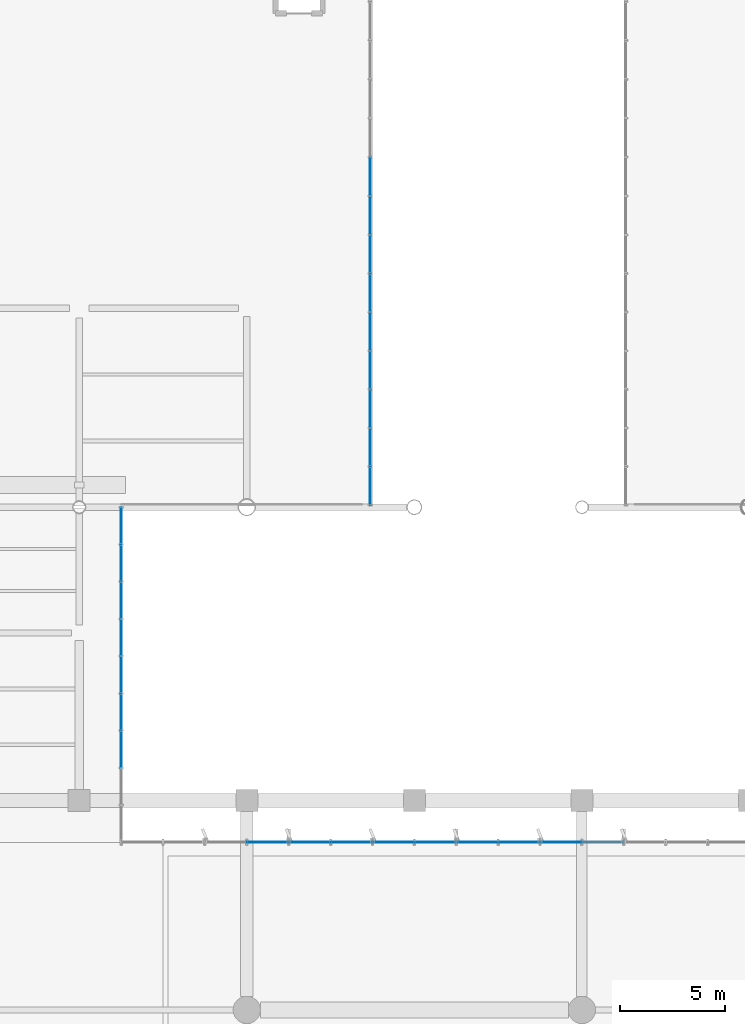
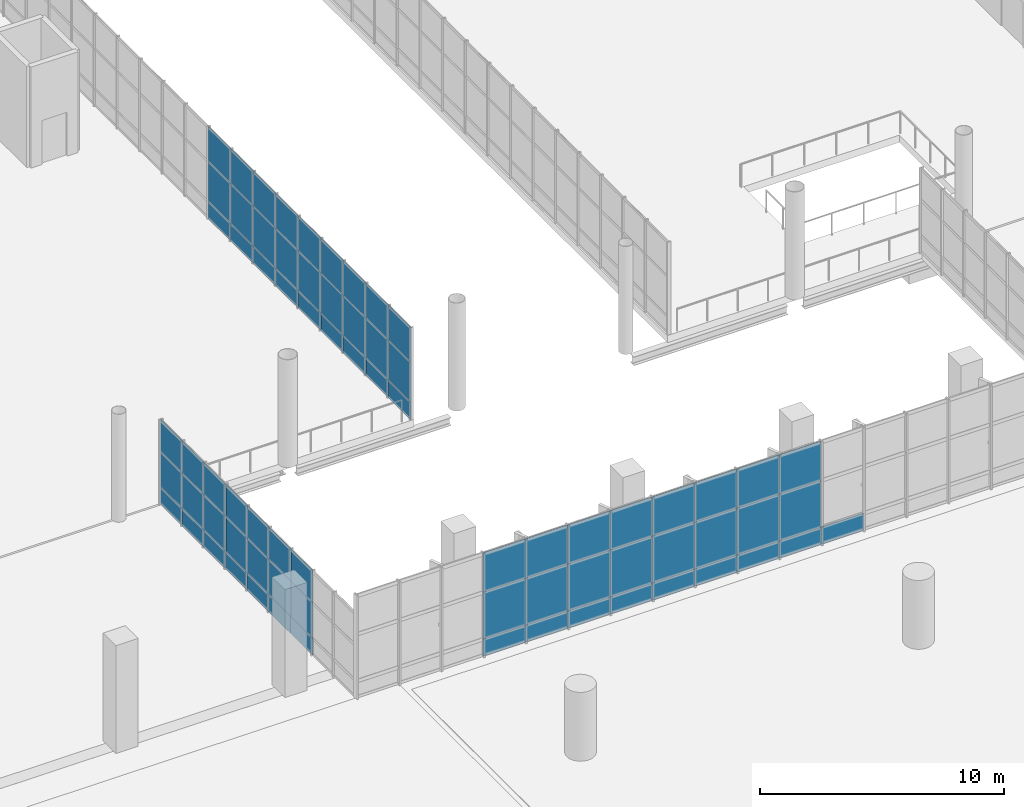
# One storey, part 125 of 176: 73 plates, 6 elements without a shape of their own.
"""IFC4 building model written with IfcOpenShell, lengths in metres."""

from ifc_helpers import new_model, si_unit, direction, frame, origin, origin_2d, place, context, subcontext, project, spatial, rectangle, extrude, material, layer, layer_set, type_object, element, aggregate, save


model = new_model("IFC4")

# Units and contexts
model_context = context("Model", 3, precision=1e-05, world=origin(), true_north=direction((0.0, 1.0)))
body_context = subcontext(model_context, "Body", "Model", "MODEL_VIEW")
ifc_project = project(units=[si_unit("LENGTHUNIT", "METRE"), si_unit("AREAUNIT", "SQUARE_METRE"), si_unit("VOLUMEUNIT", "CUBIC_METRE"), si_unit("PLANEANGLEUNIT", "RADIAN"), si_unit("MASSUNIT", "GRAM", prefix="KILO")], contexts=[model_context])

# Site, building, storey
site_placement = place(None, origin())
site = spatial("IfcSite", under=ifc_project, at=site_placement, CompositionType="ELEMENT")
building_placement = place(site_placement, origin())
building = spatial("IfcBuilding", under=site, at=building_placement, Name="Khorjan Park Terminus", CompositionType="ELEMENT")
storey_placement = place(building_placement, frame((0.0, 0.0, 6.0)))
storey = spatial("IfcBuildingStorey", under=building, at=storey_placement, Name="L01", CompositionType="ELEMENT", Elevation=6.0)

# Curtain wall, plates
ifc_material_1 = material(Name="Anodized Bronze Aluminium", Category="aluminium")
ifc_layer_1 = layer(ifc_material_1, 0.22)
ifc_layer_set_1 = layer_set([ifc_layer_1], Name="Anodized Bronze Aluminium")
curtain_wall_type_1 = type_object("IfcCurtainWallType", Name="CW-BRG-D", PredefinedType="NOTDEFINED", material=ifc_layer_set_1)
curtain_wall_1_placement = place(storey_placement, origin())
curtain_wall_1 = element("IfcCurtainWall", 1, at=curtain_wall_1_placement, inside=storey, type_object=curtain_wall_type_1, Name="Unitized curtain wall CW-D (CW-NKW-E-L01)", PredefinedType="NOTDEFINED")
ifc_material_2 = material(Name="Low-E Solar Control Double Glazing", Category="glass")
ifc_layer_2 = layer(ifc_material_2, 0.032)
ifc_layer_set_2 = layer_set([ifc_layer_2], Name="Low-E Solar Control Double Glazing")
plate_type_1 = type_object("IfcPlateType", Name="GL-VIS-32", PredefinedType="CURTAIN_PANEL", material=ifc_layer_set_2)
plate_1_placement = place(storey_placement, frame((74.0, 90.4444, 0.85), z_axis=(0.0, 0.0, 1.0), x_axis=(0.0, 1.0, 0.0)))
plate_1 = element("IfcPlate", 2, at=plate_1_placement, type_object=plate_type_1, Name="Curtain-wall panel VP-32 (CW-NKW-E-L01-2-2)", PredefinedType="CURTAIN_PANEL", context=body_context, shape_type="SweptSolid", body=[
    extrude(rectangle(XDim=1.7778, YDim=0.032, at=origin_2d()), origin(), (0.0, 0.0, 1.0), 1.7695),
])
plate_2_placement = place(storey_placement, frame((74.0, 90.4444, 2.6196), z_axis=(0.0, 0.0, 1.0), x_axis=(0.0, 1.0, 0.0)))
plate_2 = element("IfcPlate", 3, at=plate_2_placement, type_object=plate_type_1, Name="Curtain-wall panel VP-32 (CW-NKW-E-L01-2-3)", PredefinedType="CURTAIN_PANEL", context=body_context, shape_type="SweptSolid", body=[
    extrude(rectangle(XDim=1.7778, YDim=0.032, at=origin_2d()), origin(), (0.0, 0.0, 1.0), 1.6155),
])
plate_3_placement = place(storey_placement, frame((74.0, 92.2222, 0.85), z_axis=(0.0, 0.0, 1.0), x_axis=(0.0, 1.0, 0.0)))
plate_3 = element("IfcPlate", 4, at=plate_3_placement, type_object=plate_type_1, Name="Curtain-wall panel VP-32 (CW-NKW-E-L01-3-2)", PredefinedType="CURTAIN_PANEL", context=body_context, shape_type="SweptSolid", body=[
    extrude(rectangle(XDim=1.7778, YDim=0.032, at=origin_2d()), origin(), (0.0, 0.0, 1.0), 1.7695),
])
plate_4_placement = place(storey_placement, frame((74.0, 92.2222, 2.6196), z_axis=(0.0, 0.0, 1.0), x_axis=(0.0, 1.0, 0.0)))
plate_4 = element("IfcPlate", 5, at=plate_4_placement, type_object=plate_type_1, Name="Curtain-wall panel VP-32 (CW-NKW-E-L01-3-3)", PredefinedType="CURTAIN_PANEL", context=body_context, shape_type="SweptSolid", body=[
    extrude(rectangle(XDim=1.7778, YDim=0.032, at=origin_2d()), origin(), (0.0, 0.0, 1.0), 1.6155),
])
plate_5_placement = place(storey_placement, frame((74.0, 94.0, 0.85), z_axis=(0.0, 0.0, 1.0), x_axis=(0.0, 1.0, 0.0)))
plate_5 = element("IfcPlate", 6, at=plate_5_placement, type_object=plate_type_1, Name="Curtain-wall panel VP-32 (CW-NKW-E-L01-4-2)", PredefinedType="CURTAIN_PANEL", context=body_context, shape_type="SweptSolid", body=[
    extrude(rectangle(XDim=1.7778, YDim=0.032, at=origin_2d()), origin(), (0.0, 0.0, 1.0), 1.7695),
])
plate_6_placement = place(storey_placement, frame((74.0, 94.0, 2.6196), z_axis=(0.0, 0.0, 1.0), x_axis=(0.0, 1.0, 0.0)))
plate_6 = element("IfcPlate", 7, at=plate_6_placement, type_object=plate_type_1, Name="Curtain-wall panel VP-32 (CW-NKW-E-L01-4-3)", PredefinedType="CURTAIN_PANEL", context=body_context, shape_type="SweptSolid", body=[
    extrude(rectangle(XDim=1.7778, YDim=0.032, at=origin_2d()), origin(), (0.0, 0.0, 1.0), 1.6155),
])
plate_7_placement = place(storey_placement, frame((74.0, 95.7778, 0.85), z_axis=(0.0, 0.0, 1.0), x_axis=(0.0, 1.0, 0.0)))
plate_7 = element("IfcPlate", 8, at=plate_7_placement, type_object=plate_type_1, Name="Curtain-wall panel VP-32 (CW-NKW-E-L01-5-2)", PredefinedType="CURTAIN_PANEL", context=body_context, shape_type="SweptSolid", body=[
    extrude(rectangle(XDim=1.7778, YDim=0.032, at=origin_2d()), origin(), (0.0, 0.0, 1.0), 1.7695),
])
plate_8_placement = place(storey_placement, frame((74.0, 95.7778, 2.6196), z_axis=(0.0, 0.0, 1.0), x_axis=(0.0, 1.0, 0.0)))
plate_8 = element("IfcPlate", 9, at=plate_8_placement, type_object=plate_type_1, Name="Curtain-wall panel VP-32 (CW-NKW-E-L01-5-3)", PredefinedType="CURTAIN_PANEL", context=body_context, shape_type="SweptSolid", body=[
    extrude(rectangle(XDim=1.7778, YDim=0.032, at=origin_2d()), origin(), (0.0, 0.0, 1.0), 1.6155),
])
plate_9_placement = place(storey_placement, frame((74.0, 97.5556, 0.85), z_axis=(0.0, 0.0, 1.0), x_axis=(0.0, 1.0, 0.0)))
plate_9 = element("IfcPlate", 10, at=plate_9_placement, type_object=plate_type_1, Name="Curtain-wall panel VP-32 (CW-NKW-E-L01-6-2)", PredefinedType="CURTAIN_PANEL", context=body_context, shape_type="SweptSolid", body=[
    extrude(rectangle(XDim=1.7778, YDim=0.032, at=origin_2d()), origin(), (0.0, 0.0, 1.0), 1.7695),
])
plate_10_placement = place(storey_placement, frame((74.0, 97.5556, 2.6196), z_axis=(0.0, 0.0, 1.0), x_axis=(0.0, 1.0, 0.0)))
plate_10 = element("IfcPlate", 11, at=plate_10_placement, type_object=plate_type_1, Name="Curtain-wall panel VP-32 (CW-NKW-E-L01-6-3)", PredefinedType="CURTAIN_PANEL", context=body_context, shape_type="SweptSolid", body=[
    extrude(rectangle(XDim=1.7778, YDim=0.032, at=origin_2d()), origin(), (0.0, 0.0, 1.0), 1.6155),
])
plate_11_placement = place(storey_placement, frame((74.0, 99.3333, 0.85), z_axis=(0.0, 0.0, 1.0), x_axis=(0.0, 1.0, 0.0)))
plate_11 = element("IfcPlate", 12, at=plate_11_placement, type_object=plate_type_1, Name="Curtain-wall panel VP-32 (CW-NKW-E-L01-7-2)", PredefinedType="CURTAIN_PANEL", context=body_context, shape_type="SweptSolid", body=[
    extrude(rectangle(XDim=1.7778, YDim=0.032, at=origin_2d()), origin(), (0.0, 0.0, 1.0), 1.7695),
])
plate_12_placement = place(storey_placement, frame((74.0, 99.3333, 2.6196), z_axis=(0.0, 0.0, 1.0), x_axis=(0.0, 1.0, 0.0)))
plate_12 = element("IfcPlate", 13, at=plate_12_placement, type_object=plate_type_1, Name="Curtain-wall panel VP-32 (CW-NKW-E-L01-7-3)", PredefinedType="CURTAIN_PANEL", context=body_context, shape_type="SweptSolid", body=[
    extrude(rectangle(XDim=1.7778, YDim=0.032, at=origin_2d()), origin(), (0.0, 0.0, 1.0), 1.6155),
])
plate_13_placement = place(storey_placement, frame((74.0, 101.1111, 0.85), z_axis=(0.0, 0.0, 1.0), x_axis=(0.0, 1.0, 0.0)))
plate_13 = element("IfcPlate", 14, at=plate_13_placement, type_object=plate_type_1, Name="Curtain-wall panel VP-32 (CW-NKW-E-L01-8-2)", PredefinedType="CURTAIN_PANEL", context=body_context, shape_type="SweptSolid", body=[
    extrude(rectangle(XDim=1.7778, YDim=0.032, at=origin_2d()), origin(), (0.0, 0.0, 1.0), 1.7695),
])
plate_14_placement = place(storey_placement, frame((74.0, 101.1111, 2.6196), z_axis=(0.0, 0.0, 1.0), x_axis=(0.0, 1.0, 0.0)))
plate_14 = element("IfcPlate", 15, at=plate_14_placement, type_object=plate_type_1, Name="Curtain-wall panel VP-32 (CW-NKW-E-L01-8-3)", PredefinedType="CURTAIN_PANEL", context=body_context, shape_type="SweptSolid", body=[
    extrude(rectangle(XDim=1.7778, YDim=0.032, at=origin_2d()), origin(), (0.0, 0.0, 1.0), 1.6155),
])

curtain_wall_2_placement = place(storey_placement, origin())
curtain_wall_2 = element("IfcCurtainWall", 16, at=curtain_wall_2_placement, inside=storey, type_object=curtain_wall_type_1, Name="Unitized curtain wall CW-D (CW-BRW-E-1)", PredefinedType="NOTDEFINED")
plate_15_placement = place(storey_placement, frame((85.9, 103.0214, 0.85), z_axis=(0.0, 0.0, 1.0), x_axis=(0.0, 1.0, 0.0)))
plate_15 = element("IfcPlate", 17, at=plate_15_placement, type_object=plate_type_1, Name="Curtain-wall panel VP-32 (CW-BRW-E-1-0-2)", PredefinedType="CURTAIN_PANEL", context=body_context, shape_type="SweptSolid", body=[
    extrude(rectangle(XDim=1.8429, YDim=0.032, at=origin_2d()), origin(), (0.0, 0.0, 1.0), 2.002),
])
plate_16_placement = place(storey_placement, frame((85.9, 103.0214, 2.852), z_axis=(0.0, 0.0, 1.0), x_axis=(0.0, 1.0, 0.0)))
plate_16 = element("IfcPlate", 18, at=plate_16_placement, type_object=plate_type_1, Name="Curtain-wall panel VP-32 (CW-BRW-E-1-0-3)", PredefinedType="CURTAIN_PANEL", context=body_context, shape_type="SweptSolid", body=[
    extrude(rectangle(XDim=1.8429, YDim=0.032, at=origin_2d()), origin(), (0.0, 0.0, 1.0), 1.758),
])
plate_17_placement = place(storey_placement, frame((85.9, 104.8643, 0.85), z_axis=(0.0, 0.0, 1.0), x_axis=(0.0, 1.0, 0.0)))
plate_17 = element("IfcPlate", 19, at=plate_17_placement, type_object=plate_type_1, Name="Curtain-wall panel VP-32 (CW-BRW-E-1-1-2)", PredefinedType="CURTAIN_PANEL", context=body_context, shape_type="SweptSolid", body=[
    extrude(rectangle(XDim=1.8429, YDim=0.032, at=origin_2d()), origin(), (0.0, 0.0, 1.0), 2.002),
])
plate_18_placement = place(storey_placement, frame((85.9, 104.8643, 2.852), z_axis=(0.0, 0.0, 1.0), x_axis=(0.0, 1.0, 0.0)))
plate_18 = element("IfcPlate", 20, at=plate_18_placement, type_object=plate_type_1, Name="Curtain-wall panel VP-32 (CW-BRW-E-1-1-3)", PredefinedType="CURTAIN_PANEL", context=body_context, shape_type="SweptSolid", body=[
    extrude(rectangle(XDim=1.8429, YDim=0.032, at=origin_2d()), origin(), (0.0, 0.0, 1.0), 1.758),
])
plate_19_placement = place(storey_placement, frame((85.9, 106.7072, 0.85), z_axis=(0.0, 0.0, 1.0), x_axis=(0.0, 1.0, 0.0)))
plate_19 = element("IfcPlate", 21, at=plate_19_placement, type_object=plate_type_1, Name="Curtain-wall panel VP-32 (CW-BRW-E-1-2-2)", PredefinedType="CURTAIN_PANEL", context=body_context, shape_type="SweptSolid", body=[
    extrude(rectangle(XDim=1.8429, YDim=0.032, at=origin_2d()), origin(), (0.0, 0.0, 1.0), 2.002),
])
plate_20_placement = place(storey_placement, frame((85.9, 106.7072, 2.852), z_axis=(0.0, 0.0, 1.0), x_axis=(0.0, 1.0, 0.0)))
plate_20 = element("IfcPlate", 22, at=plate_20_placement, type_object=plate_type_1, Name="Curtain-wall panel VP-32 (CW-BRW-E-1-2-3)", PredefinedType="CURTAIN_PANEL", context=body_context, shape_type="SweptSolid", body=[
    extrude(rectangle(XDim=1.8429, YDim=0.032, at=origin_2d()), origin(), (0.0, 0.0, 1.0), 1.758),
])
plate_21_placement = place(storey_placement, frame((85.9, 108.55, 0.85), z_axis=(0.0, 0.0, 1.0), x_axis=(0.0, 1.0, 0.0)))
plate_21 = element("IfcPlate", 23, at=plate_21_placement, type_object=plate_type_1, Name="Curtain-wall panel VP-32 (CW-BRW-E-1-3-2)", PredefinedType="CURTAIN_PANEL", context=body_context, shape_type="SweptSolid", body=[
    extrude(rectangle(XDim=1.8429, YDim=0.032, at=origin_2d()), origin(), (0.0, 0.0, 1.0), 2.002),
])
plate_22_placement = place(storey_placement, frame((85.9, 108.55, 2.852), z_axis=(0.0, 0.0, 1.0), x_axis=(0.0, 1.0, 0.0)))
plate_22 = element("IfcPlate", 24, at=plate_22_placement, type_object=plate_type_1, Name="Curtain-wall panel VP-32 (CW-BRW-E-1-3-3)", PredefinedType="CURTAIN_PANEL", context=body_context, shape_type="SweptSolid", body=[
    extrude(rectangle(XDim=1.8429, YDim=0.032, at=origin_2d()), origin(), (0.0, 0.0, 1.0), 1.758),
])
plate_23_placement = place(storey_placement, frame((85.9, 110.3929, 0.85), z_axis=(0.0, 0.0, 1.0), x_axis=(0.0, 1.0, 0.0)))
plate_23 = element("IfcPlate", 25, at=plate_23_placement, type_object=plate_type_1, Name="Curtain-wall panel VP-32 (CW-BRW-E-1-4-2)", PredefinedType="CURTAIN_PANEL", context=body_context, shape_type="SweptSolid", body=[
    extrude(rectangle(XDim=1.8429, YDim=0.032, at=origin_2d()), origin(), (0.0, 0.0, 1.0), 2.002),
])
plate_24_placement = place(storey_placement, frame((85.9, 110.3929, 2.852), z_axis=(0.0, 0.0, 1.0), x_axis=(0.0, 1.0, 0.0)))
plate_24 = element("IfcPlate", 26, at=plate_24_placement, type_object=plate_type_1, Name="Curtain-wall panel VP-32 (CW-BRW-E-1-4-3)", PredefinedType="CURTAIN_PANEL", context=body_context, shape_type="SweptSolid", body=[
    extrude(rectangle(XDim=1.8429, YDim=0.032, at=origin_2d()), origin(), (0.0, 0.0, 1.0), 1.758),
])
plate_25_placement = place(storey_placement, frame((85.9, 112.2357, 0.85), z_axis=(0.0, 0.0, 1.0), x_axis=(0.0, 1.0, 0.0)))
plate_25 = element("IfcPlate", 27, at=plate_25_placement, type_object=plate_type_1, Name="Curtain-wall panel VP-32 (CW-BRW-E-1-5-2)", PredefinedType="CURTAIN_PANEL", context=body_context, shape_type="SweptSolid", body=[
    extrude(rectangle(XDim=1.8429, YDim=0.032, at=origin_2d()), origin(), (0.0, 0.0, 1.0), 2.002),
])
plate_26_placement = place(storey_placement, frame((85.9, 112.2357, 2.852), z_axis=(0.0, 0.0, 1.0), x_axis=(0.0, 1.0, 0.0)))
plate_26 = element("IfcPlate", 28, at=plate_26_placement, type_object=plate_type_1, Name="Curtain-wall panel VP-32 (CW-BRW-E-1-5-3)", PredefinedType="CURTAIN_PANEL", context=body_context, shape_type="SweptSolid", body=[
    extrude(rectangle(XDim=1.8429, YDim=0.032, at=origin_2d()), origin(), (0.0, 0.0, 1.0), 1.758),
])
plate_27_placement = place(storey_placement, frame((85.9, 114.0786, 0.85), z_axis=(0.0, 0.0, 1.0), x_axis=(0.0, 1.0, 0.0)))
plate_27 = element("IfcPlate", 29, at=plate_27_placement, type_object=plate_type_1, Name="Curtain-wall panel VP-32 (CW-BRW-E-1-6-2)", PredefinedType="CURTAIN_PANEL", context=body_context, shape_type="SweptSolid", body=[
    extrude(rectangle(XDim=1.8429, YDim=0.032, at=origin_2d()), origin(), (0.0, 0.0, 1.0), 2.002),
])
plate_28_placement = place(storey_placement, frame((85.9, 114.0786, 2.852), z_axis=(0.0, 0.0, 1.0), x_axis=(0.0, 1.0, 0.0)))
plate_28 = element("IfcPlate", 30, at=plate_28_placement, type_object=plate_type_1, Name="Curtain-wall panel VP-32 (CW-BRW-E-1-6-3)", PredefinedType="CURTAIN_PANEL", context=body_context, shape_type="SweptSolid", body=[
    extrude(rectangle(XDim=1.8429, YDim=0.032, at=origin_2d()), origin(), (0.0, 0.0, 1.0), 1.758),
])

curtain_wall_3_placement = place(storey_placement, origin())
curtain_wall_3 = element("IfcCurtainWall", 31, at=curtain_wall_3_placement, inside=storey, type_object=curtain_wall_type_1, Name="Unitized curtain wall CW-D (CW-BRW-E-2)", PredefinedType="NOTDEFINED")
plate_29_placement = place(storey_placement, frame((85.9, 115.9286, 0.85), z_axis=(0.0, 0.0, 1.0), x_axis=(0.0, 1.0, 0.0)))
plate_29 = element("IfcPlate", 32, at=plate_29_placement, type_object=plate_type_1, Name="Curtain-wall panel VP-32 (CW-BRW-E-2-0-2)", PredefinedType="CURTAIN_PANEL", context=body_context, shape_type="SweptSolid", body=[
    extrude(rectangle(XDim=1.8571, YDim=0.032, at=origin_2d()), origin(), (0.0, 0.0, 1.0), 2.002),
])
plate_30_placement = place(storey_placement, frame((85.9, 115.9286, 2.852), z_axis=(0.0, 0.0, 1.0), x_axis=(0.0, 1.0, 0.0)))
plate_30 = element("IfcPlate", 33, at=plate_30_placement, type_object=plate_type_1, Name="Curtain-wall panel VP-32 (CW-BRW-E-2-0-3)", PredefinedType="CURTAIN_PANEL", context=body_context, shape_type="SweptSolid", body=[
    extrude(rectangle(XDim=1.8571, YDim=0.032, at=origin_2d()), origin(), (0.0, 0.0, 1.0), 1.758),
])
plate_31_placement = place(storey_placement, frame((85.9, 117.7857, 0.85), z_axis=(0.0, 0.0, 1.0), x_axis=(0.0, 1.0, 0.0)))
plate_31 = element("IfcPlate", 34, at=plate_31_placement, type_object=plate_type_1, Name="Curtain-wall panel VP-32 (CW-BRW-E-2-1-2)", PredefinedType="CURTAIN_PANEL", context=body_context, shape_type="SweptSolid", body=[
    extrude(rectangle(XDim=1.8571, YDim=0.032, at=origin_2d()), origin(), (0.0, 0.0, 1.0), 2.002),
])
plate_32_placement = place(storey_placement, frame((85.9, 117.7857, 2.852), z_axis=(0.0, 0.0, 1.0), x_axis=(0.0, 1.0, 0.0)))
plate_32 = element("IfcPlate", 35, at=plate_32_placement, type_object=plate_type_1, Name="Curtain-wall panel VP-32 (CW-BRW-E-2-1-3)", PredefinedType="CURTAIN_PANEL", context=body_context, shape_type="SweptSolid", body=[
    extrude(rectangle(XDim=1.8571, YDim=0.032, at=origin_2d()), origin(), (0.0, 0.0, 1.0), 1.758),
])

ifc_layer_3 = layer(ifc_material_1, 0.22)
ifc_layer_set_3 = layer_set([ifc_layer_3], Name="Anodized Bronze Aluminium")
curtain_wall_type_2 = type_object("IfcCurtainWallType", Name="CW-CONC-A", PredefinedType="NOTDEFINED", material=ifc_layer_set_3)
curtain_wall_4_placement = place(storey_placement, origin())
curtain_wall_4 = element("IfcCurtainWall", 36, at=curtain_wall_4_placement, inside=storey, type_object=curtain_wall_type_2, Name="Unitized curtain wall CW-A (CW-V2-N-L01-03)", PredefinedType="NOTDEFINED")
ifc_material_3 = material(Name="Triple Low-E High-Selectivity Glazing", Category="glass")
ifc_layer_4 = layer(ifc_material_3, 0.04)
ifc_layer_set_4 = layer_set([ifc_layer_4], Name="Triple Low-E High-Selectivity Glazing")
plate_type_2 = type_object("IfcPlateType", Name="GL-VIS-40", PredefinedType="CURTAIN_PANEL", material=ifc_layer_set_4)
plate_33_placement = place(storey_placement, frame((83.0, 86.0, 0.85), z_axis=(0.0, 0.0, 1.0), x_axis=(-1.0, 0.0, 0.0)))
plate_33 = element("IfcPlate", 37, at=plate_33_placement, type_object=plate_type_2, Name="Curtain-wall panel VP-40 (CW-V2-N-L01-03-0-2)", PredefinedType="CURTAIN_PANEL", context=body_context, shape_type="SweptSolid", body=[
    extrude(rectangle(XDim=2.0, YDim=0.04, at=origin_2d()), origin(), (0.0, 0.0, 1.0), 2.343),
])
plate_34_placement = place(storey_placement, frame((83.0, 86.0, 3.193), z_axis=(0.0, 0.0, 1.0), x_axis=(-1.0, 0.0, 0.0)))
plate_34 = element("IfcPlate", 38, at=plate_34_placement, type_object=plate_type_2, Name="Curtain-wall panel VP-40 (CW-V2-N-L01-03-0-3)", PredefinedType="CURTAIN_PANEL", context=body_context, shape_type="SweptSolid", body=[
    extrude(rectangle(XDim=2.0, YDim=0.04, at=origin_2d()), origin(), (0.0, 0.0, 1.0), 1.967),
])
plate_35_placement = place(storey_placement, frame((81.0, 86.0, 0.85), z_axis=(0.0, 0.0, 1.0), x_axis=(-1.0, 0.0, 0.0)))
plate_35 = element("IfcPlate", 39, at=plate_35_placement, type_object=plate_type_2, Name="Curtain-wall panel VP-40 (CW-V2-N-L01-03-1-2)", PredefinedType="CURTAIN_PANEL", context=body_context, shape_type="SweptSolid", body=[
    extrude(rectangle(XDim=2.0, YDim=0.04, at=origin_2d()), origin(), (0.0, 0.0, 1.0), 2.343),
])
plate_36_placement = place(storey_placement, frame((81.0, 86.0, 3.193), z_axis=(0.0, 0.0, 1.0), x_axis=(-1.0, 0.0, 0.0)))
plate_36 = element("IfcPlate", 40, at=plate_36_placement, type_object=plate_type_2, Name="Curtain-wall panel VP-40 (CW-V2-N-L01-03-1-3)", PredefinedType="CURTAIN_PANEL", context=body_context, shape_type="SweptSolid", body=[
    extrude(rectangle(XDim=2.0, YDim=0.04, at=origin_2d()), origin(), (0.0, 0.0, 1.0), 1.967),
])

curtain_wall_5_placement = place(storey_placement, origin())
curtain_wall_5 = element("IfcCurtainWall", 41, at=curtain_wall_5_placement, inside=storey, type_object=curtain_wall_type_2, Name="Unitized curtain wall CW-A (CW-V2-N-L01-04)", PredefinedType="NOTDEFINED")
plate_37_placement = place(storey_placement, frame((91.0, 86.0, 0.85), z_axis=(0.0, 0.0, 1.0), x_axis=(-1.0, 0.0, 0.0)))
plate_37 = element("IfcPlate", 42, at=plate_37_placement, type_object=plate_type_2, Name="Curtain-wall panel VP-40 (CW-V2-N-L01-04-0-2)", PredefinedType="CURTAIN_PANEL", context=body_context, shape_type="SweptSolid", body=[
    extrude(rectangle(XDim=2.0, YDim=0.04, at=origin_2d()), origin(), (0.0, 0.0, 1.0), 2.343),
])
plate_38_placement = place(storey_placement, frame((91.0, 86.0, 3.193), z_axis=(0.0, 0.0, 1.0), x_axis=(-1.0, 0.0, 0.0)))
plate_38 = element("IfcPlate", 43, at=plate_38_placement, type_object=plate_type_2, Name="Curtain-wall panel VP-40 (CW-V2-N-L01-04-0-3)", PredefinedType="CURTAIN_PANEL", context=body_context, shape_type="SweptSolid", body=[
    extrude(rectangle(XDim=2.0, YDim=0.04, at=origin_2d()), origin(), (0.0, 0.0, 1.0), 1.967),
])
plate_39_placement = place(storey_placement, frame((89.0, 86.0, 0.85), z_axis=(0.0, 0.0, 1.0), x_axis=(-1.0, 0.0, 0.0)))
plate_39 = element("IfcPlate", 44, at=plate_39_placement, type_object=plate_type_2, Name="Curtain-wall panel VP-40 (CW-V2-N-L01-04-1-2)", PredefinedType="CURTAIN_PANEL", context=body_context, shape_type="SweptSolid", body=[
    extrude(rectangle(XDim=2.0, YDim=0.04, at=origin_2d()), origin(), (0.0, 0.0, 1.0), 2.343),
])
plate_40_placement = place(storey_placement, frame((89.0, 86.0, 3.193), z_axis=(0.0, 0.0, 1.0), x_axis=(-1.0, 0.0, 0.0)))
plate_40 = element("IfcPlate", 45, at=plate_40_placement, type_object=plate_type_2, Name="Curtain-wall panel VP-40 (CW-V2-N-L01-04-1-3)", PredefinedType="CURTAIN_PANEL", context=body_context, shape_type="SweptSolid", body=[
    extrude(rectangle(XDim=2.0, YDim=0.04, at=origin_2d()), origin(), (0.0, 0.0, 1.0), 1.967),
])
plate_41_placement = place(storey_placement, frame((87.0, 86.0, 0.85), z_axis=(0.0, 0.0, 1.0), x_axis=(-1.0, 0.0, 0.0)))
plate_41 = element("IfcPlate", 46, at=plate_41_placement, type_object=plate_type_2, Name="Curtain-wall panel VP-40 (CW-V2-N-L01-04-2-2)", PredefinedType="CURTAIN_PANEL", context=body_context, shape_type="SweptSolid", body=[
    extrude(rectangle(XDim=2.0, YDim=0.04, at=origin_2d()), origin(), (0.0, 0.0, 1.0), 2.343),
])
plate_42_placement = place(storey_placement, frame((87.0, 86.0, 3.193), z_axis=(0.0, 0.0, 1.0), x_axis=(-1.0, 0.0, 0.0)))
plate_42 = element("IfcPlate", 47, at=plate_42_placement, type_object=plate_type_2, Name="Curtain-wall panel VP-40 (CW-V2-N-L01-04-2-3)", PredefinedType="CURTAIN_PANEL", context=body_context, shape_type="SweptSolid", body=[
    extrude(rectangle(XDim=2.0, YDim=0.04, at=origin_2d()), origin(), (0.0, 0.0, 1.0), 1.967),
])
plate_43_placement = place(storey_placement, frame((85.0, 86.0, 0.85), z_axis=(0.0, 0.0, 1.0), x_axis=(-1.0, 0.0, 0.0)))
plate_43 = element("IfcPlate", 48, at=plate_43_placement, type_object=plate_type_2, Name="Curtain-wall panel VP-40 (CW-V2-N-L01-04-3-2)", PredefinedType="CURTAIN_PANEL", context=body_context, shape_type="SweptSolid", body=[
    extrude(rectangle(XDim=2.0, YDim=0.04, at=origin_2d()), origin(), (0.0, 0.0, 1.0), 2.343),
])
plate_44_placement = place(storey_placement, frame((85.0, 86.0, 3.193), z_axis=(0.0, 0.0, 1.0), x_axis=(-1.0, 0.0, 0.0)))
plate_44 = element("IfcPlate", 49, at=plate_44_placement, type_object=plate_type_2, Name="Curtain-wall panel VP-40 (CW-V2-N-L01-04-3-3)", PredefinedType="CURTAIN_PANEL", context=body_context, shape_type="SweptSolid", body=[
    extrude(rectangle(XDim=2.0, YDim=0.04, at=origin_2d()), origin(), (0.0, 0.0, 1.0), 1.967),
])

curtain_wall_6_placement = place(storey_placement, origin())
curtain_wall_6 = element("IfcCurtainWall", 50, at=curtain_wall_6_placement, inside=storey, type_object=curtain_wall_type_2, Name="Unitized curtain wall CW-A (CW-V2-N-L01-05)", PredefinedType="NOTDEFINED")
plate_45_placement = place(storey_placement, frame((95.0, 86.0, 0.85), z_axis=(0.0, 0.0, 1.0), x_axis=(-1.0, 0.0, 0.0)))
plate_45 = element("IfcPlate", 51, at=plate_45_placement, type_object=plate_type_2, Name="Curtain-wall panel VP-40 (CW-V2-N-L01-05-2-2)", PredefinedType="CURTAIN_PANEL", context=body_context, shape_type="SweptSolid", body=[
    extrude(rectangle(XDim=2.0, YDim=0.04, at=origin_2d()), origin(), (0.0, 0.0, 1.0), 2.343),
])
plate_46_placement = place(storey_placement, frame((95.0, 86.0, 3.193), z_axis=(0.0, 0.0, 1.0), x_axis=(-1.0, 0.0, 0.0)))
plate_46 = element("IfcPlate", 52, at=plate_46_placement, type_object=plate_type_2, Name="Curtain-wall panel VP-40 (CW-V2-N-L01-05-2-3)", PredefinedType="CURTAIN_PANEL", context=body_context, shape_type="SweptSolid", body=[
    extrude(rectangle(XDim=2.0, YDim=0.04, at=origin_2d()), origin(), (0.0, 0.0, 1.0), 1.967),
])
plate_47_placement = place(storey_placement, frame((93.0, 86.0, 0.85), z_axis=(0.0, 0.0, 1.0), x_axis=(-1.0, 0.0, 0.0)))
plate_47 = element("IfcPlate", 53, at=plate_47_placement, type_object=plate_type_2, Name="Curtain-wall panel VP-40 (CW-V2-N-L01-05-3-2)", PredefinedType="CURTAIN_PANEL", context=body_context, shape_type="SweptSolid", body=[
    extrude(rectangle(XDim=2.0, YDim=0.04, at=origin_2d()), origin(), (0.0, 0.0, 1.0), 2.343),
])
plate_48_placement = place(storey_placement, frame((93.0, 86.0, 3.193), z_axis=(0.0, 0.0, 1.0), x_axis=(-1.0, 0.0, 0.0)))
plate_48 = element("IfcPlate", 54, at=plate_48_placement, type_object=plate_type_2, Name="Curtain-wall panel VP-40 (CW-V2-N-L01-05-3-3)", PredefinedType="CURTAIN_PANEL", context=body_context, shape_type="SweptSolid", body=[
    extrude(rectangle(XDim=2.0, YDim=0.04, at=origin_2d()), origin(), (0.0, 0.0, 1.0), 1.967),
])

# Plate
ifc_material_4 = material(Name="Insulated Anodized Bronze Spandrel Panel")
ifc_layer_5 = layer(ifc_material_4, 0.045)
ifc_layer_set_5 = layer_set([ifc_layer_5], Name="Insulated Anodized Bronze Spandrel Panel")
plate_type_3 = type_object("IfcPlateType", Name="SP-AL-45", PredefinedType="CURTAIN_PANEL", material=ifc_layer_set_5)
plate_49_placement = place(storey_placement, frame((83.0, 86.0, -0.01), z_axis=(0.0, 0.0, 1.0), x_axis=(-1.0, 0.0, 0.0)))
plate_49 = element("IfcPlate", 55, at=plate_49_placement, type_object=plate_type_3, Name="Curtain-wall panel SP-A45 (CW-V2-N-L01-03-0-1)", PredefinedType="CURTAIN_PANEL", context=body_context, shape_type="SweptSolid", body=[
    extrude(rectangle(XDim=2.0, YDim=0.045, at=origin_2d()), origin(), (0.0, 0.0, 1.0), 0.86),
])

plate_50_placement = place(storey_placement, frame((81.0, 86.0, -0.01), z_axis=(0.0, 0.0, 1.0), x_axis=(-1.0, 0.0, 0.0)))
plate_50 = element("IfcPlate", 56, at=plate_50_placement, type_object=plate_type_3, Name="Curtain-wall panel SP-A45 (CW-V2-N-L01-03-1-1)", PredefinedType="CURTAIN_PANEL", context=body_context, shape_type="SweptSolid", body=[
    extrude(rectangle(XDim=2.0, YDim=0.045, at=origin_2d()), origin(), (0.0, 0.0, 1.0), 0.86),
])

aggregate(curtain_wall_4, [plate_49, plate_33, plate_34, plate_50, plate_35, plate_36])

plate_51_placement = place(storey_placement, frame((91.0, 86.0, -0.01), z_axis=(0.0, 0.0, 1.0), x_axis=(-1.0, 0.0, 0.0)))
plate_51 = element("IfcPlate", 57, at=plate_51_placement, type_object=plate_type_3, Name="Curtain-wall panel SP-A45 (CW-V2-N-L01-04-0-1)", PredefinedType="CURTAIN_PANEL", context=body_context, shape_type="SweptSolid", body=[
    extrude(rectangle(XDim=2.0, YDim=0.045, at=origin_2d()), origin(), (0.0, 0.0, 1.0), 0.86),
])

plate_52_placement = place(storey_placement, frame((89.0, 86.0, -0.01), z_axis=(0.0, 0.0, 1.0), x_axis=(-1.0, 0.0, 0.0)))
plate_52 = element("IfcPlate", 58, at=plate_52_placement, type_object=plate_type_3, Name="Curtain-wall panel SP-A45 (CW-V2-N-L01-04-1-1)", PredefinedType="CURTAIN_PANEL", context=body_context, shape_type="SweptSolid", body=[
    extrude(rectangle(XDim=2.0, YDim=0.045, at=origin_2d()), origin(), (0.0, 0.0, 1.0), 0.86),
])

plate_53_placement = place(storey_placement, frame((87.0, 86.0, -0.01), z_axis=(0.0, 0.0, 1.0), x_axis=(-1.0, 0.0, 0.0)))
plate_53 = element("IfcPlate", 59, at=plate_53_placement, type_object=plate_type_3, Name="Curtain-wall panel SP-A45 (CW-V2-N-L01-04-2-1)", PredefinedType="CURTAIN_PANEL", context=body_context, shape_type="SweptSolid", body=[
    extrude(rectangle(XDim=2.0, YDim=0.045, at=origin_2d()), origin(), (0.0, 0.0, 1.0), 0.86),
])

plate_54_placement = place(storey_placement, frame((85.0, 86.0, -0.01), z_axis=(0.0, 0.0, 1.0), x_axis=(-1.0, 0.0, 0.0)))
plate_54 = element("IfcPlate", 60, at=plate_54_placement, type_object=plate_type_3, Name="Curtain-wall panel SP-A45 (CW-V2-N-L01-04-3-1)", PredefinedType="CURTAIN_PANEL", context=body_context, shape_type="SweptSolid", body=[
    extrude(rectangle(XDim=2.0, YDim=0.045, at=origin_2d()), origin(), (0.0, 0.0, 1.0), 0.86),
])

aggregate(curtain_wall_5, [plate_51, plate_37, plate_38, plate_52, plate_39, plate_40, plate_53, plate_41, plate_42, plate_54, plate_43, plate_44])

plate_55_placement = place(storey_placement, frame((97.0, 86.0, -0.01), z_axis=(0.0, 0.0, 1.0), x_axis=(-1.0, 0.0, 0.0)))
plate_55 = element("IfcPlate", 61, at=plate_55_placement, type_object=plate_type_3, Name="Curtain-wall panel SP-A45 (CW-V2-N-L01-05-1-1)", PredefinedType="CURTAIN_PANEL", context=body_context, shape_type="SweptSolid", body=[
    extrude(rectangle(XDim=2.0, YDim=0.045, at=origin_2d()), origin(), (0.0, 0.0, 1.0), 0.86),
])

plate_56_placement = place(storey_placement, frame((95.0, 86.0, -0.01), z_axis=(0.0, 0.0, 1.0), x_axis=(-1.0, 0.0, 0.0)))
plate_56 = element("IfcPlate", 62, at=plate_56_placement, type_object=plate_type_3, Name="Curtain-wall panel SP-A45 (CW-V2-N-L01-05-2-1)", PredefinedType="CURTAIN_PANEL", context=body_context, shape_type="SweptSolid", body=[
    extrude(rectangle(XDim=2.0, YDim=0.045, at=origin_2d()), origin(), (0.0, 0.0, 1.0), 0.86),
])

plate_57_placement = place(storey_placement, frame((93.0, 86.0, -0.01), z_axis=(0.0, 0.0, 1.0), x_axis=(-1.0, 0.0, 0.0)))
plate_57 = element("IfcPlate", 63, at=plate_57_placement, type_object=plate_type_3, Name="Curtain-wall panel SP-A45 (CW-V2-N-L01-05-3-1)", PredefinedType="CURTAIN_PANEL", context=body_context, shape_type="SweptSolid", body=[
    extrude(rectangle(XDim=2.0, YDim=0.045, at=origin_2d()), origin(), (0.0, 0.0, 1.0), 0.86),
])

aggregate(curtain_wall_6, [plate_55, plate_56, plate_45, plate_46, plate_57, plate_47, plate_48])

plate_58_placement = place(storey_placement, frame((74.0, 90.4444, -0.01), z_axis=(0.0, 0.0, 1.0), x_axis=(0.0, 1.0, 0.0)))
plate_58 = element("IfcPlate", 64, at=plate_58_placement, type_object=plate_type_3, Name="Curtain-wall panel SP-A45 (CW-NKW-E-L01-2-1)", PredefinedType="CURTAIN_PANEL", context=body_context, shape_type="SweptSolid", body=[
    extrude(rectangle(XDim=1.7778, YDim=0.045, at=origin_2d()), origin(), (0.0, 0.0, 1.0), 0.86),
])

plate_59_placement = place(storey_placement, frame((74.0, 92.2222, -0.01), z_axis=(0.0, 0.0, 1.0), x_axis=(0.0, 1.0, 0.0)))
plate_59 = element("IfcPlate", 65, at=plate_59_placement, type_object=plate_type_3, Name="Curtain-wall panel SP-A45 (CW-NKW-E-L01-3-1)", PredefinedType="CURTAIN_PANEL", context=body_context, shape_type="SweptSolid", body=[
    extrude(rectangle(XDim=1.7778, YDim=0.045, at=origin_2d()), origin(), (0.0, 0.0, 1.0), 0.86),
])

plate_60_placement = place(storey_placement, frame((74.0, 94.0, -0.01), z_axis=(0.0, 0.0, 1.0), x_axis=(0.0, 1.0, 0.0)))
plate_60 = element("IfcPlate", 66, at=plate_60_placement, type_object=plate_type_3, Name="Curtain-wall panel SP-A45 (CW-NKW-E-L01-4-1)", PredefinedType="CURTAIN_PANEL", context=body_context, shape_type="SweptSolid", body=[
    extrude(rectangle(XDim=1.7778, YDim=0.045, at=origin_2d()), origin(), (0.0, 0.0, 1.0), 0.86),
])

plate_61_placement = place(storey_placement, frame((74.0, 95.7778, -0.01), z_axis=(0.0, 0.0, 1.0), x_axis=(0.0, 1.0, 0.0)))
plate_61 = element("IfcPlate", 67, at=plate_61_placement, type_object=plate_type_3, Name="Curtain-wall panel SP-A45 (CW-NKW-E-L01-5-1)", PredefinedType="CURTAIN_PANEL", context=body_context, shape_type="SweptSolid", body=[
    extrude(rectangle(XDim=1.7778, YDim=0.045, at=origin_2d()), origin(), (0.0, 0.0, 1.0), 0.86),
])

plate_62_placement = place(storey_placement, frame((74.0, 97.5556, -0.01), z_axis=(0.0, 0.0, 1.0), x_axis=(0.0, 1.0, 0.0)))
plate_62 = element("IfcPlate", 68, at=plate_62_placement, type_object=plate_type_3, Name="Curtain-wall panel SP-A45 (CW-NKW-E-L01-6-1)", PredefinedType="CURTAIN_PANEL", context=body_context, shape_type="SweptSolid", body=[
    extrude(rectangle(XDim=1.7778, YDim=0.045, at=origin_2d()), origin(), (0.0, 0.0, 1.0), 0.86),
])

plate_63_placement = place(storey_placement, frame((74.0, 99.3333, -0.01), z_axis=(0.0, 0.0, 1.0), x_axis=(0.0, 1.0, 0.0)))
plate_63 = element("IfcPlate", 69, at=plate_63_placement, type_object=plate_type_3, Name="Curtain-wall panel SP-A45 (CW-NKW-E-L01-7-1)", PredefinedType="CURTAIN_PANEL", context=body_context, shape_type="SweptSolid", body=[
    extrude(rectangle(XDim=1.7778, YDim=0.045, at=origin_2d()), origin(), (0.0, 0.0, 1.0), 0.86),
])

plate_64_placement = place(storey_placement, frame((74.0, 101.1111, -0.01), z_axis=(0.0, 0.0, 1.0), x_axis=(0.0, 1.0, 0.0)))
plate_64 = element("IfcPlate", 70, at=plate_64_placement, type_object=plate_type_3, Name="Curtain-wall panel SP-A45 (CW-NKW-E-L01-8-1)", PredefinedType="CURTAIN_PANEL", context=body_context, shape_type="SweptSolid", body=[
    extrude(rectangle(XDim=1.7778, YDim=0.045, at=origin_2d()), origin(), (0.0, 0.0, 1.0), 0.86),
])

aggregate(curtain_wall_1, [plate_58, plate_1, plate_2, plate_59, plate_3, plate_4, plate_60, plate_5, plate_6, plate_61, plate_7, plate_8, plate_62, plate_9, plate_10, plate_63, plate_11, plate_12, plate_64, plate_13, plate_14])

plate_65_placement = place(storey_placement, frame((85.9, 103.0214, -0.01), z_axis=(0.0, 0.0, 1.0), x_axis=(0.0, 1.0, 0.0)))
plate_65 = element("IfcPlate", 71, at=plate_65_placement, type_object=plate_type_3, Name="Curtain-wall panel SP-A45 (CW-BRW-E-1-0-1)", PredefinedType="CURTAIN_PANEL", context=body_context, shape_type="SweptSolid", body=[
    extrude(rectangle(XDim=1.8429, YDim=0.045, at=origin_2d()), origin(), (0.0, 0.0, 1.0), 0.86),
])

plate_66_placement = place(storey_placement, frame((85.9, 104.8643, -0.01), z_axis=(0.0, 0.0, 1.0), x_axis=(0.0, 1.0, 0.0)))
plate_66 = element("IfcPlate", 72, at=plate_66_placement, type_object=plate_type_3, Name="Curtain-wall panel SP-A45 (CW-BRW-E-1-1-1)", PredefinedType="CURTAIN_PANEL", context=body_context, shape_type="SweptSolid", body=[
    extrude(rectangle(XDim=1.8429, YDim=0.045, at=origin_2d()), origin(), (0.0, 0.0, 1.0), 0.86),
])

plate_67_placement = place(storey_placement, frame((85.9, 106.7072, -0.01), z_axis=(0.0, 0.0, 1.0), x_axis=(0.0, 1.0, 0.0)))
plate_67 = element("IfcPlate", 73, at=plate_67_placement, type_object=plate_type_3, Name="Curtain-wall panel SP-A45 (CW-BRW-E-1-2-1)", PredefinedType="CURTAIN_PANEL", context=body_context, shape_type="SweptSolid", body=[
    extrude(rectangle(XDim=1.8429, YDim=0.045, at=origin_2d()), origin(), (0.0, 0.0, 1.0), 0.86),
])

plate_68_placement = place(storey_placement, frame((85.9, 108.55, -0.01), z_axis=(0.0, 0.0, 1.0), x_axis=(0.0, 1.0, 0.0)))
plate_68 = element("IfcPlate", 74, at=plate_68_placement, type_object=plate_type_3, Name="Curtain-wall panel SP-A45 (CW-BRW-E-1-3-1)", PredefinedType="CURTAIN_PANEL", context=body_context, shape_type="SweptSolid", body=[
    extrude(rectangle(XDim=1.8429, YDim=0.045, at=origin_2d()), origin(), (0.0, 0.0, 1.0), 0.86),
])

plate_69_placement = place(storey_placement, frame((85.9, 110.3929, -0.01), z_axis=(0.0, 0.0, 1.0), x_axis=(0.0, 1.0, 0.0)))
plate_69 = element("IfcPlate", 75, at=plate_69_placement, type_object=plate_type_3, Name="Curtain-wall panel SP-A45 (CW-BRW-E-1-4-1)", PredefinedType="CURTAIN_PANEL", context=body_context, shape_type="SweptSolid", body=[
    extrude(rectangle(XDim=1.8429, YDim=0.045, at=origin_2d()), origin(), (0.0, 0.0, 1.0), 0.86),
])

plate_70_placement = place(storey_placement, frame((85.9, 112.2357, -0.01), z_axis=(0.0, 0.0, 1.0), x_axis=(0.0, 1.0, 0.0)))
plate_70 = element("IfcPlate", 76, at=plate_70_placement, type_object=plate_type_3, Name="Curtain-wall panel SP-A45 (CW-BRW-E-1-5-1)", PredefinedType="CURTAIN_PANEL", context=body_context, shape_type="SweptSolid", body=[
    extrude(rectangle(XDim=1.8429, YDim=0.045, at=origin_2d()), origin(), (0.0, 0.0, 1.0), 0.86),
])

plate_71_placement = place(storey_placement, frame((85.9, 114.0786, -0.01), z_axis=(0.0, 0.0, 1.0), x_axis=(0.0, 1.0, 0.0)))
plate_71 = element("IfcPlate", 77, at=plate_71_placement, type_object=plate_type_3, Name="Curtain-wall panel SP-A45 (CW-BRW-E-1-6-1)", PredefinedType="CURTAIN_PANEL", context=body_context, shape_type="SweptSolid", body=[
    extrude(rectangle(XDim=1.8429, YDim=0.045, at=origin_2d()), origin(), (0.0, 0.0, 1.0), 0.86),
])

aggregate(curtain_wall_2, [plate_65, plate_15, plate_16, plate_66, plate_17, plate_18, plate_67, plate_19, plate_20, plate_68, plate_21, plate_22, plate_69, plate_23, plate_24, plate_70, plate_25, plate_26, plate_71, plate_27, plate_28])

plate_72_placement = place(storey_placement, frame((85.9, 115.9286, -0.01), z_axis=(0.0, 0.0, 1.0), x_axis=(0.0, 1.0, 0.0)))
plate_72 = element("IfcPlate", 78, at=plate_72_placement, type_object=plate_type_3, Name="Curtain-wall panel SP-A45 (CW-BRW-E-2-0-1)", PredefinedType="CURTAIN_PANEL", context=body_context, shape_type="SweptSolid", body=[
    extrude(rectangle(XDim=1.8571, YDim=0.045, at=origin_2d()), origin(), (0.0, 0.0, 1.0), 0.86),
])

plate_73_placement = place(storey_placement, frame((85.9, 117.7857, -0.01), z_axis=(0.0, 0.0, 1.0), x_axis=(0.0, 1.0, 0.0)))
plate_73 = element("IfcPlate", 79, at=plate_73_placement, type_object=plate_type_3, Name="Curtain-wall panel SP-A45 (CW-BRW-E-2-1-1)", PredefinedType="CURTAIN_PANEL", context=body_context, shape_type="SweptSolid", body=[
    extrude(rectangle(XDim=1.8571, YDim=0.045, at=origin_2d()), origin(), (0.0, 0.0, 1.0), 0.86),
])

aggregate(curtain_wall_3, [plate_72, plate_29, plate_30, plate_73, plate_31, plate_32])

save(model, "model.ifc")
